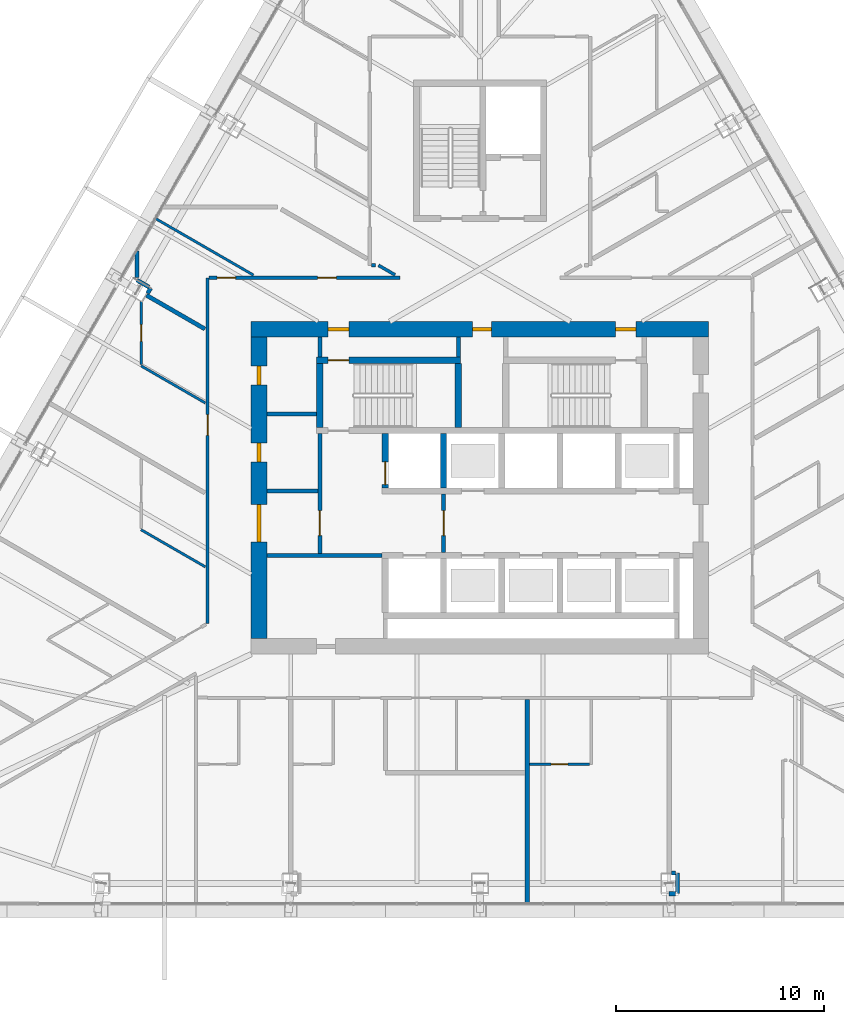
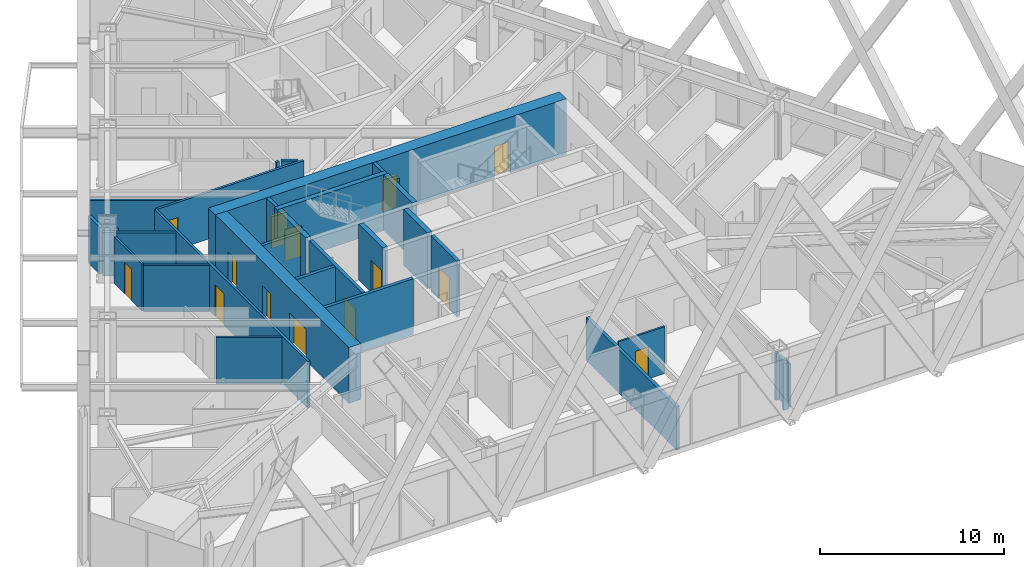
# One storey, part 16 of 26: 31 walls, 15 doors, 15 openings.
"""IFC4 building model written with IfcOpenShell, lengths in metres."""

from ifc_helpers import new_model, si_unit, direction, frame, frame_2d, origin, place, context, subcontext, project, spatial, rectangle, extrude, material, layer, layer_set, type_object, element, fill, save


model = new_model("IFC4")

# Units and contexts
model_context = context("Model", 3, precision=1e-05, world=origin(), true_north=direction((0.0, 1.0)))
body_context = subcontext(model_context, "Body", "Model", "MODEL_VIEW")
ifc_project = project(units=[si_unit("LENGTHUNIT", "METRE"), si_unit("AREAUNIT", "SQUARE_METRE"), si_unit("VOLUMEUNIT", "CUBIC_METRE"), si_unit("PLANEANGLEUNIT", "RADIAN"), si_unit("MASSUNIT", "GRAM", prefix="KILO")], contexts=[model_context])

# Site, building, storey
site_placement = place(None, origin())
site = spatial("IfcSite", under=ifc_project, at=site_placement, CompositionType="ELEMENT")
building_placement = place(site_placement, origin())
building = spatial("IfcBuilding", under=site, at=building_placement, Name="Firuza Gate Tower and Library", CompositionType="ELEMENT")
storey_placement = place(building_placement, frame((0.0, 0.0, 155.800048828125)))
storey = spatial("IfcBuildingStorey", under=building, at=storey_placement, Name="L35", CompositionType="ELEMENT", Elevation=155.800048828125)

# Walls
ifc_material_1 = material(Name="Plasterboard on steel studs", Category="steel")
ifc_layer_1 = layer(ifc_material_1, 0.199951171875)
ifc_layer_set_1 = layer_set([ifc_layer_1], Name="Core partition 200 EI 120")
wall_type_1 = type_object("IfcWallType", Name="Core partition 200 EI 120", PredefinedType="PARTITIONING", material=ifc_layer_set_1)
wall_1_placement = place(storey_placement, frame((64.75, 71.75, 0.0), z_axis=(0.0, 0.0, 1.0), x_axis=(1.0, 0.0, 0.0)))
element("IfcWall", 1, at=wall_1_placement, inside=storey, type_object=wall_type_1, Name="Core partition L35 1", PredefinedType="PARTITIONING", context=body_context, shape_type="SweptSolid", body=[
    extrude(rectangle(XDim=5.550048828125, YDim=0.199951171875, at=frame_2d((2.77490234375, 0.0))), origin(), (0.0, 0.0, 1.0), 3.699951171875),
])
wall_2_placement = place(storey_placement, frame((64.75, 74.85009765625, 0.0), z_axis=(0.0, 0.0, 1.0), x_axis=(1.0, 0.0, 0.0)))
element("IfcWall", 2, at=wall_2_placement, inside=storey, type_object=wall_type_1, Name="Core partition L35 3", PredefinedType="PARTITIONING", context=body_context, shape_type="SweptSolid", body=[
    extrude(rectangle(XDim=2.449951171875, YDim=0.199951171875, at=frame_2d((1.22509765625, 0.0))), origin(), (0.0, 0.0, 1.0), 3.699951171875),
])
wall_3_placement = place(storey_placement, frame((64.75, 78.550048828125, 0.0), z_axis=(0.0, 0.0, 1.0), x_axis=(1.0, 0.0, 0.0)))
element("IfcWall", 3, at=wall_3_placement, inside=storey, type_object=wall_type_1, Name="Core partition L35 6", PredefinedType="PARTITIONING", context=body_context, shape_type="SweptSolid", body=[
    extrude(rectangle(XDim=2.39990234375, YDim=0.199951171875, at=frame_2d((1.199951171875, 0.0))), origin(), (0.0, 0.0, 1.0), 3.699951171875),
])

# Wall, opening, door
wall_4_placement = place(storey_placement, frame((67.300048828125, 71.85009765625, 0.0), z_axis=(0.0, 0.0, 1.0), x_axis=(0.0, 1.0, 0.0)))
wall_4 = element("IfcWall", 4, at=wall_4_placement, inside=storey, type_object=wall_type_1, Name="Core partition L35 7", PredefinedType="PARTITIONING", context=body_context, shape_type="SweptSolid", body=[
    extrude(rectangle(XDim=5.75, YDim=0.199951171875, at=frame_2d((2.875, 0.0))), origin(), (0.0, 0.0, 1.0), 3.699951171875),
])
opening_1_placement = place(wall_4_placement, frame((0.85009765625, 0.0, 0.0)))
opening_1 = element("IfcOpeningElement", 5, at=opening_1_placement, cuts=wall_4, Name="Opening L35-K19", PredefinedType="OPENING", context=body_context, shape_type="SweptSolid", body=[
    extrude(rectangle(XDim=1.199951171875, YDim=2.10009765625, at=frame_2d((0.60009765625, 1.050048828125))), frame((0.0, 0.10986328125, 0.0), z_axis=(0.0, -1.0, 0.0), x_axis=(1.0, 0.0, 0.0)), (0.0, 0.0, 1.0), 0.219970703125),
])
ifc_material_2 = material(Name="Steel", Category="steel")
door_type_1 = type_object("IfcDoorType", Name="Fire door 1200x2100 FD90S", OperationType="NOTDEFINED", PredefinedType="DOOR", material=ifc_material_2)
door_1_placement = place(opening_1_placement, origin())
door_1 = element("IfcDoor", 6, at=door_1_placement, inside=storey, type_object=door_type_1, Name="Door L35-K19", OperationType="SINGLE_SWING_RIGHT", OverallHeight=2.10009765625, OverallWidth=1.199951171875, PredefinedType="DOOR", context=body_context, shape_type="SweptSolid", body=[
    extrude(rectangle(XDim=1.199951171875, YDim=2.10009765625, at=frame_2d((0.60009765625, 1.050048828125))), frame((0.0, 0.02490234375, 0.0), z_axis=(0.0, -1.0, 0.0), x_axis=(1.0, 0.0, 0.0)), (0.0, 0.0, 1.0), 0.050048828125),
])
fill(opening_1, door_1)

# Walls
for number, where, z_axis, x_axis, name in (
    (7, (67.300048828125, 81.280029296875, 0.0), (0.0, 0.0, 1.0), (0.0, 1.0, 0.0), "Core partition L35 8"),
    (8, (73.9599609375, 81.280029296875, 0.0), (0.0, 0.0, 1.0), (0.0, 1.0, 0.0), "Core partition L35 11"),
):
    element("IfcWall", number, at=place(storey_placement, frame(where, z_axis=z_axis, x_axis=x_axis)), inside=storey, type_object=wall_type_1, Name=name, PredefinedType="PARTITIONING", context=body_context, shape_type="SweptSolid", body=[
        extrude(rectangle(XDim=0.969970703125, YDim=0.199951171875, at=frame_2d((0.48486328125, 0.0))), origin(), (0.0, 0.0, 1.0), 3.699951171875),
    ])

# Wall, opening, door
ifc_material_3 = material(Name="Plasterboard on steel studs", Category="steel")
ifc_layer_2 = layer(ifc_material_3, 0.199951171875)
ifc_layer_set_2 = layer_set([ifc_layer_2], Name="Core partition 200 EI 60")
wall_type_2 = type_object("IfcWallType", Name="Core partition 200 EI 60", PredefinedType="PARTITIONING", material=ifc_layer_set_2)
wall_5_placement = place(storey_placement, frame((73.25, 71.89990234375, 0.0), z_axis=(0.0, 0.0, 1.0), x_axis=(0.0, 1.0, 0.0)))
wall_5 = element("IfcWall", 9, at=wall_5_placement, inside=storey, type_object=wall_type_2, Name="Core partition L35 10", PredefinedType="PARTITIONING", context=body_context, shape_type="SweptSolid", body=[
    extrude(rectangle(XDim=2.800048828125, YDim=0.199951171875, at=frame_2d((1.39990234375, 0.0))), origin(), (0.0, 0.0, 1.0), 3.699951171875),
])
opening_2_placement = place(wall_5_placement, frame((0.800048828125, 0.0, 0.0)))
opening_2 = element("IfcOpeningElement", 10, at=opening_2_placement, cuts=wall_5, Name="Opening L35-K18", PredefinedType="OPENING", context=body_context, shape_type="SweptSolid", body=[
    extrude(rectangle(XDim=1.199951171875, YDim=2.10009765625, at=frame_2d((0.60009765625, 1.050048828125))), frame((0.0, 0.10986328125, 0.0), z_axis=(0.0, -1.0, 0.0), x_axis=(1.0, 0.0, 0.0)), (0.0, 0.0, 1.0), 0.219970703125),
])
door_2_placement = place(opening_2_placement, origin())
door_2 = element("IfcDoor", 11, at=door_2_placement, inside=storey, type_object=door_type_1, Name="Door L35-K18", OperationType="SINGLE_SWING_LEFT", OverallHeight=2.10009765625, OverallWidth=1.199951171875, PredefinedType="DOOR", context=body_context, shape_type="SweptSolid", body=[
    extrude(rectangle(XDim=1.199951171875, YDim=2.10009765625, at=frame_2d((0.60009765625, 1.050048828125))), frame((0.0, 0.02490234375, 0.0), z_axis=(0.0, -1.0, 0.0), x_axis=(1.0, 0.0, 0.0)), (0.0, 0.0, 1.0), 0.050048828125),
])
fill(opening_2, door_2)

ifc_material_4 = material(Name="Concrete C80/95", Category="concrete")
ifc_layer_3 = layer(ifc_material_4, 0.300048828125)
ifc_layer_set_3 = layer_set([ifc_layer_3], Name="Core wall 300 C80/95")
wall_type_3 = type_object("IfcWallType", Name="Core wall 300 C80/95", PredefinedType="SHEAR", material=ifc_layer_set_3)
wall_6_placement = place(storey_placement, frame((70.449951171875, 75.0, 0.0), z_axis=(0.0, 0.0, 1.0), x_axis=(0.0, 1.0, 0.0)))
wall_6 = element("IfcWall", 12, at=wall_6_placement, inside=storey, type_object=wall_type_3, Name="Core wall L35 9", PredefinedType="SHEAR", context=body_context, shape_type="SweptSolid", body=[
    extrude(rectangle(XDim=2.60009765625, YDim=0.300048828125, at=frame_2d((1.300048828125, 0.0))), origin(), (0.0, 0.0, 1.0), 3.699951171875),
])
opening_3_placement = place(wall_6_placement, frame((0.14990234375, 0.0, 0.0)))
opening_3 = element("IfcOpeningElement", 13, at=opening_3_placement, cuts=wall_6, Name="Opening LD-FF2-L35", PredefinedType="OPENING", context=body_context, shape_type="SweptSolid", body=[
    extrude(rectangle(XDim=1.10009765625, YDim=2.10009765625, at=frame_2d((0.550048828125, 1.050048828125))), frame((0.0, 0.16015625, 0.0), z_axis=(0.0, -1.0, 0.0), x_axis=(1.0, 0.0, 0.0)), (0.0, 0.0, 1.0), 0.320068359375),
])
ifc_material_5 = material(Name="Stainless steel", Category="steel")
door_type_2 = type_object("IfcDoorType", Name="Lift landing door 1100x2100", OperationType="DOUBLE_DOOR_SLIDING", PredefinedType="DOOR", material=ifc_material_5)
door_3_placement = place(opening_3_placement, origin())
door_3 = element("IfcDoor", 14, at=door_3_placement, inside=storey, type_object=door_type_2, Name="Landing door FF2 L35", OperationType="DOUBLE_DOOR_SLIDING", OverallHeight=2.10009765625, OverallWidth=1.10009765625, PredefinedType="DOOR", context=body_context, shape_type="SweptSolid", body=[
    extrude(rectangle(XDim=1.10009765625, YDim=2.10009765625, at=frame_2d((0.550048828125, 1.050048828125))), frame((0.0, 0.02490234375, 0.0), z_axis=(0.0, -1.0, 0.0), x_axis=(1.0, 0.0, 0.0)), (0.0, 0.0, 1.0), 0.050048828125),
])
fill(opening_3, door_3)

# Wall
wall_7_placement = place(storey_placement, frame((73.25, 75.0, 0.0), z_axis=(0.0, 0.0, 1.0), x_axis=(0.0, 1.0, 0.0)))
element("IfcWall", 15, at=wall_7_placement, inside=storey, type_object=wall_type_3, Name="Core wall L35 11", PredefinedType="SHEAR", context=body_context, shape_type="SweptSolid", body=[
    extrude(rectangle(XDim=2.60009765625, YDim=0.300048828125, at=frame_2d((1.300048828125, 0.0))), origin(), (0.0, 0.0, 1.0), 3.699951171875),
])

# Wall, opening, door
wall_8_placement = place(storey_placement, frame((67.14990234375, 81.1298828125, 0.0), z_axis=(0.0, 0.0, 1.0), x_axis=(1.0, 0.0, 0.0)))
wall_8 = element("IfcWall", 16, at=wall_8_placement, inside=storey, type_object=wall_type_3, Name="Core wall L35 21", PredefinedType="SHEAR", context=body_context, shape_type="SweptSolid", body=[
    extrude(rectangle(XDim=6.91015625, YDim=0.300048828125, at=frame_2d((3.455078125, 0.0))), origin(), (0.0, 0.0, 1.0), 3.699951171875),
])
opening_4_placement = place(wall_8_placement, frame((0.544921875, 0.0, 0.0)))
opening_4 = element("IfcOpeningElement", 17, at=opening_4_placement, cuts=wall_8, Name="Opening L35-K11", PredefinedType="OPENING", context=body_context, shape_type="SweptSolid", body=[
    extrude(rectangle(XDim=1.0, YDim=2.10009765625, at=frame_2d((0.5, 1.050048828125))), frame((0.0, 0.16015625, 0.0), z_axis=(0.0, -1.0, 0.0), x_axis=(1.0, 0.0, 0.0)), (0.0, 0.0, 1.0), 0.320068359375),
])
ifc_material_6 = material(Name="Steel", Category="steel")
door_type_3 = type_object("IfcDoorType", Name="Fire door 1000x2100 FD90", OperationType="NOTDEFINED", PredefinedType="DOOR", material=ifc_material_6)
door_4_placement = place(opening_4_placement, origin())
door_4 = element("IfcDoor", 18, at=door_4_placement, inside=storey, type_object=door_type_3, Name="Door L35-K11", OperationType="SINGLE_SWING_RIGHT", OverallHeight=2.10009765625, OverallWidth=1.0, PredefinedType="DOOR", context=body_context, shape_type="SweptSolid", body=[
    extrude(rectangle(XDim=1.0, YDim=2.10009765625, at=frame_2d((0.5, 1.050048828125))), frame((0.0, 0.02490234375, 0.0), z_axis=(0.0, -1.0, 0.0), x_axis=(1.0, 0.0, 0.0)), (0.0, 0.0, 1.0), 0.050048828125),
])
fill(opening_4, door_4)

# Walls
for number, where, z_axis, x_axis, name in (
    (19, (67.300048828125, 77.89990234375, 0.0), (0.0, 0.0, 1.0), (0.0, 1.0, 0.0), "Core wall L35 23"),
    (20, (73.9599609375, 77.89990234375, 0.0), (0.0, 0.0, 1.0), (0.0, 1.0, 0.0), "Core wall L35 24"),
):
    element("IfcWall", number, at=place(storey_placement, frame(where, z_axis=z_axis, x_axis=x_axis)), inside=storey, type_object=wall_type_3, Name=name, PredefinedType="SHEAR", context=body_context, shape_type="SweptSolid", body=[
        extrude(rectangle(XDim=3.080078125, YDim=0.300048828125, at=frame_2d((1.5400390625, 0.0))), origin(), (0.0, 0.0, 1.0), 3.699951171875),
    ])

# Wall, openings, doors
ifc_material_7 = material(Name="Concrete C80/95", Category="concrete")
ifc_layer_4 = layer(ifc_material_7, 0.75)
ifc_layer_set_4 = layer_set([ifc_layer_4], Name="Core wall 750 C80/95")
wall_type_4 = type_object("IfcWallType", Name="Core wall 750 C80/95", PredefinedType="SHEAR", material=ifc_layer_set_4)
wall_9_placement = place(storey_placement, frame((64.0, 82.625, 0.0), z_axis=(0.0, 0.0, 1.0), x_axis=(1.0, 0.0, 0.0)))
wall_9 = element("IfcWall", 21, at=wall_9_placement, inside=storey, type_object=wall_type_4, Name="Core wall L35 2", PredefinedType="SHEAR", context=body_context, shape_type="SweptSolid", body=[
    extrude(rectangle(XDim=22.0, YDim=0.75, at=frame_2d((11.0, 0.0))), origin(), (0.0, 0.0, 1.0), 3.699951171875),
])
opening_5_placement = place(wall_9_placement, frame((3.695068359375, 0.0, 0.0)))
opening_5 = element("IfcOpeningElement", 22, at=opening_5_placement, cuts=wall_9, Name="Opening L35-K12", PredefinedType="OPENING", context=body_context, shape_type="SweptSolid", body=[
    extrude(rectangle(XDim=1.0, YDim=2.10009765625, at=frame_2d((0.5, 1.050048828125))), frame((0.0, 0.385009765625, 0.0), z_axis=(0.0, -1.0, 0.0), x_axis=(1.0, 0.0, 0.0)), (0.0, 0.0, 1.0), 0.77001953125),
])
opening_6_placement = place(wall_9_placement, frame((17.5048828125, 0.0, 0.0)))
opening_6 = element("IfcOpeningElement", 23, at=opening_6_placement, cuts=wall_9, Name="Opening L35-K14", PredefinedType="OPENING", context=body_context, shape_type="SweptSolid", body=[
    extrude(rectangle(XDim=1.0, YDim=2.10009765625, at=frame_2d((0.5, 1.050048828125))), frame((0.0, 0.385009765625, 0.0), z_axis=(0.0, -1.0, 0.0), x_axis=(1.0, 0.0, 0.0)), (0.0, 0.0, 1.0), 0.77001953125),
])
opening_7_placement = place(wall_9_placement, frame((10.64990234375, 0.0, 0.0)))
opening_7 = element("IfcOpeningElement", 24, at=opening_7_placement, cuts=wall_9, Name="Opening L35-K25", PredefinedType="OPENING", context=body_context, shape_type="SweptSolid", body=[
    extrude(rectangle(XDim=0.89990234375, YDim=2.10009765625, at=frame_2d((0.449951171875, 1.050048828125))), frame((0.0, 0.385009765625, 0.0), z_axis=(0.0, -1.0, 0.0), x_axis=(1.0, 0.0, 0.0)), (0.0, 0.0, 1.0), 0.77001953125),
])
door_5_placement = place(opening_5_placement, origin())
door_5 = element("IfcDoor", 25, at=door_5_placement, inside=storey, type_object=door_type_3, Name="Door L35-K12", OperationType="SINGLE_SWING_LEFT", OverallHeight=2.10009765625, OverallWidth=1.0, PredefinedType="DOOR", context=body_context, shape_type="SweptSolid", body=[
    extrude(rectangle(XDim=1.0, YDim=2.10009765625, at=frame_2d((0.5, 1.050048828125))), frame((0.0, 0.094970703125, 0.0), z_axis=(0.0, -1.0, 0.0), x_axis=(1.0, 0.0, 0.0)), (0.0, 0.0, 1.0), 0.18994140625),
])
fill(opening_5, door_5)
door_6_placement = place(opening_6_placement, origin())
door_6 = element("IfcDoor", 26, at=door_6_placement, inside=storey, type_object=door_type_3, Name="Door L35-K14", OperationType="SINGLE_SWING_LEFT", OverallHeight=2.10009765625, OverallWidth=1.0, PredefinedType="DOOR", context=body_context, shape_type="SweptSolid", body=[
    extrude(rectangle(XDim=1.0, YDim=2.10009765625, at=frame_2d((0.5, 1.050048828125))), frame((0.0, 0.094970703125, 0.0), z_axis=(0.0, -1.0, 0.0), x_axis=(1.0, 0.0, 0.0)), (0.0, 0.0, 1.0), 0.18994140625),
])
fill(opening_6, door_6)
ifc_material_8 = material(Name="Steel", Category="steel")
door_type_4 = type_object("IfcDoorType", Name="Fire door 900x2100 FD30S", OperationType="NOTDEFINED", PredefinedType="DOOR", material=ifc_material_8)
door_7_placement = place(opening_7_placement, origin())
door_7 = element("IfcDoor", 27, at=door_7_placement, inside=storey, type_object=door_type_4, Name="Door L35-K25", OperationType="SINGLE_SWING_RIGHT", OverallHeight=2.10009765625, OverallWidth=0.89990234375, PredefinedType="DOOR", context=body_context, shape_type="SweptSolid", body=[
    extrude(rectangle(XDim=0.89990234375, YDim=2.10009765625, at=frame_2d((0.449951171875, 1.050048828125))), frame((0.0, 0.094970703125, 0.0), z_axis=(0.0, -1.0, 0.0), x_axis=(1.0, 0.0, 0.0)), (0.0, 0.0, 1.0), 0.18994140625),
])
fill(opening_7, door_7)

wall_10_placement = place(storey_placement, frame((64.375, 67.75, 0.0), z_axis=(0.0, 0.0, 1.0), x_axis=(0.0, 1.0, 0.0)))
wall_10 = element("IfcWall", 28, at=wall_10_placement, inside=storey, type_object=wall_type_4, Name="Core wall L35 3", PredefinedType="SHEAR", context=body_context, shape_type="SweptSolid", body=[
    extrude(rectangle(XDim=14.5, YDim=0.75, at=frame_2d((7.25, 0.0))), origin(), (0.0, 0.0, 1.0), 3.699951171875),
])
opening_8_placement = place(wall_10_placement, frame((4.64990234375, 0.0, 0.0)))
opening_8 = element("IfcOpeningElement", 29, at=opening_8_placement, cuts=wall_10, Name="Opening L35-K20", PredefinedType="OPENING", context=body_context, shape_type="SweptSolid", body=[
    extrude(rectangle(XDim=1.800048828125, YDim=2.10009765625, at=frame_2d((0.89990234375, 1.050048828125))), frame((0.0, 0.385009765625, 0.0), z_axis=(0.0, -1.0, 0.0), x_axis=(1.0, 0.0, 0.0)), (0.0, 0.0, 1.0), 0.77001953125),
])
opening_9_placement = place(wall_10_placement, frame((8.5, 0.0, 0.0)))
opening_9 = element("IfcOpeningElement", 30, at=opening_9_placement, cuts=wall_10, Name="Opening L35-K23", PredefinedType="OPENING", context=body_context, shape_type="SweptSolid", body=[
    extrude(rectangle(XDim=0.89990234375, YDim=2.10009765625, at=frame_2d((0.449951171875, 1.050048828125))), frame((0.0, 0.385009765625, 0.0), z_axis=(0.0, -1.0, 0.0), x_axis=(1.0, 0.0, 0.0)), (0.0, 0.0, 1.0), 0.77001953125),
])
opening_10_placement = place(wall_10_placement, frame((12.199951171875, 0.0, 0.0)))
opening_10 = element("IfcOpeningElement", 31, at=opening_10_placement, cuts=wall_10, Name="Opening L35-K24", PredefinedType="OPENING", context=body_context, shape_type="SweptSolid", body=[
    extrude(rectangle(XDim=0.89990234375, YDim=2.10009765625, at=frame_2d((0.449951171875, 1.050048828125))), frame((0.0, 0.385009765625, 0.0), z_axis=(0.0, -1.0, 0.0), x_axis=(1.0, 0.0, 0.0)), (0.0, 0.0, 1.0), 0.77001953125),
])
ifc_material_9 = material(Name="Steel", Category="steel")
door_type_5 = type_object("IfcDoorType", Name="Fire door 1800x2100 FD30S", OperationType="NOTDEFINED", PredefinedType="DOOR", material=ifc_material_9)
door_8_placement = place(opening_8_placement, origin())
door_8 = element("IfcDoor", 32, at=door_8_placement, inside=storey, type_object=door_type_5, Name="Door L35-K20", OperationType="SINGLE_SWING_LEFT", OverallHeight=2.10009765625, OverallWidth=1.800048828125, PredefinedType="DOOR", context=body_context, shape_type="SweptSolid", body=[
    extrude(rectangle(XDim=1.800048828125, YDim=2.10009765625, at=frame_2d((0.89990234375, 1.050048828125))), frame((0.0, 0.094970703125, 0.0), z_axis=(0.0, -1.0, 0.0), x_axis=(1.0, 0.0, 0.0)), (0.0, 0.0, 1.0), 0.18994140625),
])
fill(opening_8, door_8)
door_9_placement = place(opening_9_placement, origin())
door_9 = element("IfcDoor", 33, at=door_9_placement, inside=storey, type_object=door_type_4, Name="Door L35-K23", OperationType="SINGLE_SWING_RIGHT", OverallHeight=2.10009765625, OverallWidth=0.89990234375, PredefinedType="DOOR", context=body_context, shape_type="SweptSolid", body=[
    extrude(rectangle(XDim=0.89990234375, YDim=2.10009765625, at=frame_2d((0.449951171875, 1.050048828125))), frame((0.0, 0.094970703125, 0.0), z_axis=(0.0, -1.0, 0.0), x_axis=(1.0, 0.0, 0.0)), (0.0, 0.0, 1.0), 0.18994140625),
])
fill(opening_9, door_9)
door_10_placement = place(opening_10_placement, origin())
door_10 = element("IfcDoor", 34, at=door_10_placement, inside=storey, type_object=door_type_4, Name="Door L35-K24", OperationType="SINGLE_SWING_LEFT", OverallHeight=2.10009765625, OverallWidth=0.89990234375, PredefinedType="DOOR", context=body_context, shape_type="SweptSolid", body=[
    extrude(rectangle(XDim=0.89990234375, YDim=2.10009765625, at=frame_2d((0.449951171875, 1.050048828125))), frame((0.0, 0.094970703125, 0.0), z_axis=(0.0, -1.0, 0.0), x_axis=(1.0, 0.0, 0.0)), (0.0, 0.0, 1.0), 0.18994140625),
])
fill(opening_10, door_10)

ifc_material_10 = material(Name="Gypsum board partition")
ifc_layer_5 = layer(ifc_material_10, 0.14990234375)
ifc_layer_set_5 = layer_set([ifc_layer_5], Name="Corridor wall 150 double board on steel studs")
wall_type_5 = type_object("IfcWallType", Name="Corridor wall 150 double board on steel studs", PredefinedType="PARTITIONING", material=ifc_layer_set_5)
wall_11_placement = place(storey_placement, frame((61.97509765625, 85.10009765625, 0.0), z_axis=(0.0, 0.0, 1.0), x_axis=(1.0, 0.0, 0.0)))
wall_11 = element("IfcWall", 35, at=wall_11_placement, inside=storey, type_object=wall_type_5, Name="f:L35:w013", PredefinedType="PARTITIONING", context=body_context, shape_type="SweptSolid", body=[
    extrude(rectangle(XDim=9.18115234375, YDim=0.14990234375, at=frame_2d((4.590576171875, 0.0))), origin(), (0.0, 0.0, 1.0), 3.099853515625),
])
opening_11_placement = place(wall_11_placement, frame((0.379638671875, 0.0, 0.0)))
opening_11 = element("IfcOpeningElement", 36, at=opening_11_placement, cuts=wall_11, Name="Opening L35-10", PredefinedType="OPENING", context=body_context, shape_type="SweptSolid", body=[
    extrude(rectangle(XDim=0.89990234375, YDim=2.10009765625, at=frame_2d((0.449951171875, 1.050048828125))), frame((0.0, 0.0849609375, 0.0), z_axis=(0.0, -1.0, 0.0), x_axis=(1.0, 0.0, 0.0)), (0.0, 0.0, 1.0), 0.169921875),
])
opening_12_placement = place(wall_11_placement, frame((5.2158203125, 0.0, 0.0)))
opening_12 = element("IfcOpeningElement", 37, at=opening_12_placement, cuts=wall_11, Name="Opening L35-11", PredefinedType="OPENING", context=body_context, shape_type="SweptSolid", body=[
    extrude(rectangle(XDim=0.89990234375, YDim=2.10009765625, at=frame_2d((0.449951171875, 1.050048828125))), frame((0.0, 0.0849609375, 0.0), z_axis=(0.0, -1.0, 0.0), x_axis=(1.0, 0.0, 0.0)), (0.0, 0.0, 1.0), 0.169921875),
])
ifc_material_11 = material(Name="Steel door and timber leaf", Category="steel")
door_type_6 = type_object("IfcDoorType", Name="Fire door 900 x 2100 steel frame, timber leaf", OperationType="NOTDEFINED", PredefinedType="DOOR", material=ifc_material_11)
door_11_placement = place(opening_11_placement, origin())
door_11 = element("IfcDoor", 38, at=door_11_placement, inside=storey, type_object=door_type_6, Name="f:L35:d010", OperationType="SINGLE_SWING_RIGHT", OverallHeight=2.10009765625, OverallWidth=0.89990234375, PredefinedType="DOOR", context=body_context, shape_type="SweptSolid", body=[
    extrude(rectangle(XDim=0.89990234375, YDim=2.10009765625, at=frame_2d((0.449951171875, 1.050048828125))), frame((0.0, 0.02490234375, 0.0), z_axis=(0.0, -1.0, 0.0), x_axis=(1.0, 0.0, 0.0)), (0.0, 0.0, 1.0), 0.050048828125),
])
fill(opening_11, door_11)
door_12_placement = place(opening_12_placement, origin())
door_12 = element("IfcDoor", 39, at=door_12_placement, inside=storey, type_object=door_type_6, Name="f:L35:d011", OperationType="SINGLE_SWING_LEFT", OverallHeight=2.10009765625, OverallWidth=0.89990234375, PredefinedType="DOOR", context=body_context, shape_type="SweptSolid", body=[
    extrude(rectangle(XDim=0.89990234375, YDim=2.10009765625, at=frame_2d((0.449951171875, 1.050048828125))), frame((0.0, 0.02490234375, 0.0), z_axis=(0.0, -1.0, 0.0), x_axis=(1.0, 0.0, 0.0)), (0.0, 0.0, 1.0), 0.050048828125),
])
fill(opening_12, door_12)

# Wall
wall_12_placement = place(storey_placement, frame((69.77490234375, 85.699951171875, 0.0), z_axis=(0.0, 0.0, 1.0), x_axis=(1.0, 0.0, 0.0)))
element("IfcWall", 40, at=wall_12_placement, inside=storey, type_object=wall_type_5, Name="f:L35:w015", PredefinedType="PARTITIONING", context=body_context, shape_type="SweptSolid", body=[
    extrude(rectangle(XDim=0.192138671875, YDim=0.14990234375, at=frame_2d((0.09619140625, 0.0))), origin(), (0.0, 0.0, 1.0), 3.099853515625),
])

# Wall, opening, door
wall_13_placement = place(storey_placement, frame((61.89990234375, 68.47607421875, 0.0), z_axis=(0.0, 0.0, 1.0), x_axis=(0.0, 1.0, 0.0)))
wall_13 = element("IfcWall", 41, at=wall_13_placement, inside=storey, type_object=wall_type_5, Name="f:L35:w083", PredefinedType="PARTITIONING", context=body_context, shape_type="SweptSolid", body=[
    extrude(rectangle(XDim=16.6240234375, YDim=0.14990234375, at=frame_2d((8.31201171875, 0.0))), origin(), (0.0, 0.0, 1.0), 3.099853515625),
])
opening_13_placement = place(wall_13_placement, frame((9.043212890625, 0.0, 0.0)))
opening_13 = element("IfcOpeningElement", 42, at=opening_13_placement, cuts=wall_13, Name="Opening L35-40", PredefinedType="OPENING", context=body_context, shape_type="SweptSolid", body=[
    extrude(rectangle(XDim=1.0, YDim=2.10009765625, at=frame_2d((0.5, 1.050048828125))), frame((0.0, 0.0849609375, 0.0), z_axis=(0.0, -1.0, 0.0), x_axis=(1.0, 0.0, 0.0)), (0.0, 0.0, 1.0), 0.169921875),
])
ifc_material_12 = material(Name="Steel door and timber leaf", Category="steel")
door_type_7 = type_object("IfcDoorType", Name="Fire door 1000 x 2100 steel frame, timber leaf", OperationType="NOTDEFINED", PredefinedType="DOOR", material=ifc_material_12)
door_13_placement = place(opening_13_placement, origin())
door_13 = element("IfcDoor", 43, at=door_13_placement, inside=storey, type_object=door_type_7, Name="f:L35:d040", OperationType="SINGLE_SWING_LEFT", OverallHeight=2.10009765625, OverallWidth=1.0, PredefinedType="DOOR", context=body_context, shape_type="SweptSolid", body=[
    extrude(rectangle(XDim=1.0, YDim=2.10009765625, at=frame_2d((0.5, 1.050048828125))), frame((0.0, 0.02490234375, 0.0), z_axis=(0.0, -1.0, 0.0), x_axis=(1.0, 0.0, 0.0)), (0.0, 0.0, 1.0), 0.050048828125),
])
fill(opening_13, door_13)

# Walls
wall_14_placement = place(storey_placement, frame((70.913818359375, 85.239990234375, 0.0), z_axis=(0.0, 0.0, 1.0), x_axis=(-0.865898279276, 0.500220121494, 0.0)))
element("IfcWall", 44, at=wall_14_placement, inside=storey, type_object=wall_type_5, Name="f:L35:w099", PredefinedType="PARTITIONING", context=body_context, shape_type="SweptSolid", body=[
    extrude(rectangle(XDim=0.919921875, YDim=0.14990234375, at=frame_2d((0.4599609375, 0.0))), origin(), (0.0, 0.0, 1.0), 3.099853515625),
])
ifc_material_13 = material(Name="Gypsum board partition")
ifc_layer_6 = layer(ifc_material_13, 0.199951171875)
ifc_layer_set_6 = layer_set([ifc_layer_6], Name="Demising wall 200 acoustic double stud")
wall_type_6 = type_object("IfcWallType", Name="Demising wall 200 acoustic double stud", PredefinedType="PARTITIONING", material=ifc_layer_set_6)
wall_15_placement = place(storey_placement, frame((84.10009765625, 55.48095703125, 0.0), z_axis=(0.0, 0.0, 1.0), x_axis=(1.0, 0.0, 0.0)))
element("IfcWall", 45, at=wall_15_placement, inside=storey, type_object=wall_type_6, Name="f:L35:w001", PredefinedType="PARTITIONING", context=body_context, shape_type="SweptSolid", body=[
    extrude(rectangle(XDim=0.2998046875, YDim=0.199951171875, at=frame_2d((0.14990234375, 0.0))), origin(), (0.0, 0.0, 1.0), 3.099853515625),
])
wall_16_placement = place(storey_placement, frame((84.199951171875, 56.48095703125, 0.0), z_axis=(0.0, 0.0, 1.0), x_axis=(1.0, 0.0, 0.0)))
element("IfcWall", 46, at=wall_16_placement, inside=storey, type_object=wall_type_6, Name="f:L35:w004", PredefinedType="PARTITIONING", context=body_context, shape_type="SweptSolid", body=[
    extrude(rectangle(XDim=0.199951171875, YDim=0.199951171875, at=frame_2d((0.10009765625, 0.0))), origin(), (0.0, 0.0, 1.0), 3.099853515625),
])
wall_17_placement = place(storey_placement, frame((59.01708984375, 84.354736328125, 0.0), z_axis=(0.0, 0.0, 1.0), x_axis=(0.500038750527, 0.866003030001, 0.0)))
element("IfcWall", 47, at=wall_17_placement, inside=storey, type_object=wall_type_6, Name="f:L35:w050", PredefinedType="PARTITIONING", context=body_context, shape_type="SweptSolid", body=[
    extrude(rectangle(XDim=0.28955078125, YDim=0.199951171875, at=frame_2d((0.144775390625, 0.0))), origin(), (0.0, 0.0, 1.0), 3.099853515625),
])
wall_18_placement = place(storey_placement, frame((84.5, 55.4814453125, 0.0), z_axis=(0.0, 0.0, 1.0), x_axis=(0.0, 1.0, 0.0)))
element("IfcWall", 48, at=wall_18_placement, inside=storey, type_object=wall_type_6, Name="f:L35:w061", PredefinedType="PARTITIONING", context=body_context, shape_type="SweptSolid", body=[
    extrude(rectangle(XDim=1.0, YDim=0.199951171875, at=frame_2d((0.5, 0.0))), origin(), (0.0, 0.0, 1.0), 2.864990234375),
])
wall_19_placement = place(storey_placement, frame((77.27490234375, 55.021484375, 0.0), z_axis=(0.0, 0.0, 1.0), x_axis=(0.0, 1.0, 0.0)))
element("IfcWall", 49, at=wall_19_placement, inside=storey, type_object=wall_type_6, Name="f:L35:w068", PredefinedType="PARTITIONING", context=body_context, shape_type="SweptSolid", body=[
    extrude(rectangle(XDim=9.803466796875, YDim=0.199951171875, at=frame_2d((4.90185546875, 0.0))), origin(), (0.0, 0.0, 1.0), 2.864990234375),
])
wall_20_placement = place(storey_placement, frame((58.5, 85.10400390625, 0.0), z_axis=(0.0, 0.0, 1.0), x_axis=(0.0, 1.0, 0.0)))
element("IfcWall", 50, at=wall_20_placement, inside=storey, type_object=wall_type_6, Name="f:L35:w087", PredefinedType="PARTITIONING", context=body_context, shape_type="SweptSolid", body=[
    extrude(rectangle(XDim=1.2744140625, YDim=0.199951171875, at=frame_2d((0.63720703125, 0.0))), origin(), (0.0, 0.0, 1.0), 3.099853515625),
])
wall_21_placement = place(storey_placement, frame((59.075439453125, 84.656005859375, 0.0), z_axis=(0.0, 0.0, 1.0), x_axis=(-0.866063163075, 0.499934593286, 0.0)))
element("IfcWall", 51, at=wall_21_placement, inside=storey, type_object=wall_type_6, Name="f:L35:w107", PredefinedType="PARTITIONING", context=body_context, shape_type="SweptSolid", body=[
    extrude(rectangle(XDim=0.6640625, YDim=0.199951171875, at=frame_2d((0.33203125, 0.0))), origin(), (0.0, 0.0, 1.0), 2.864990234375),
])
wall_22_placement = place(storey_placement, frame((61.773193359375, 82.63671875, 0.0), z_axis=(0.0, 0.0, 1.0), x_axis=(-0.866059071022, 0.4999416821, 0.0)))
element("IfcWall", 52, at=wall_22_placement, inside=storey, type_object=wall_type_6, Name="f:L35:w108", PredefinedType="PARTITIONING", context=body_context, shape_type="SweptSolid", body=[
    extrude(rectangle(XDim=3.24560546875, YDim=0.199951171875, at=frame_2d((1.622802734375, 0.0))), origin(), (0.0, 0.0, 1.0), 3.099853515625),
])

# Wall, opening, door
ifc_material_14 = material(Name="Gypsum board partition")
ifc_layer_7 = layer(ifc_material_14, 0.1201171875)
ifc_layer_set_7 = layer_set([ifc_layer_7], Name="Wet-area partition 120 moisture-resistant board")
wall_type_7 = type_object("IfcWallType", Name="Wet-area partition 120 moisture-resistant board", PredefinedType="PARTITIONING", material=ifc_layer_set_7)
wall_23_placement = place(storey_placement, frame((77.375, 61.699951171875, 0.0), z_axis=(0.0, 0.0, 1.0), x_axis=(1.0, 0.0, 0.0)))
wall_23 = element("IfcWall", 53, at=wall_23_placement, inside=storey, type_object=wall_type_7, Name="f:L35:w009", PredefinedType="PARTITIONING", context=body_context, shape_type="SweptSolid", body=[
    extrude(rectangle(XDim=2.9013671875, YDim=0.1201171875, at=frame_2d((1.45068359375, 0.0))), origin(), (0.0, 0.0, 1.0), 3.099853515625),
])
opening_14_placement = place(wall_23_placement, frame((1.050537109375, 0.0, 0.0)))
opening_14 = element("IfcOpeningElement", 54, at=opening_14_placement, cuts=wall_23, Name="Opening L35-03", PredefinedType="OPENING", context=body_context, shape_type="SweptSolid", body=[
    extrude(rectangle(XDim=0.800048828125, YDim=2.10009765625, at=frame_2d((0.39990234375, 1.050048828125))), frame((0.0, 0.070068359375, 0.0), z_axis=(0.0, -1.0, 0.0), x_axis=(1.0, 0.0, 0.0)), (0.0, 0.0, 1.0), 0.14013671875),
])
ifc_material_15 = material(Name="Timber door", Category="wood")
door_type_8 = type_object("IfcDoorType", Name="Door 800 x 2100 timber leaf", OperationType="NOTDEFINED", PredefinedType="DOOR", material=ifc_material_15)
door_14_placement = place(opening_14_placement, origin())
door_14 = element("IfcDoor", 55, at=door_14_placement, inside=storey, type_object=door_type_8, Name="f:L35:d003", OperationType="SINGLE_SWING_LEFT", OverallHeight=2.10009765625, OverallWidth=0.800048828125, PredefinedType="DOOR", context=body_context, shape_type="SweptSolid", body=[
    extrude(rectangle(XDim=0.800048828125, YDim=2.10009765625, at=frame_2d((0.39990234375, 1.050048828125))), frame((0.0, 0.02490234375, 0.0), z_axis=(0.0, -1.0, 0.0), x_axis=(1.0, 0.0, 0.0)), (0.0, 0.0, 1.0), 0.050048828125),
])
fill(opening_14, door_14)

wall_24_placement = place(storey_placement, frame((58.699951171875, 83.948974609375, 0.0), z_axis=(0.0, 0.0, 1.0), x_axis=(0.0, -1.0, 0.0)))
wall_24 = element("IfcWall", 56, at=wall_24_placement, inside=storey, type_object=wall_type_7, Name="f:L35:w086", PredefinedType="PARTITIONING", context=body_context, shape_type="SweptSolid", body=[
    extrude(rectangle(XDim=3.01513671875, YDim=0.1201171875, at=frame_2d((1.507568359375, 0.0))), origin(), (0.0, 0.0, 1.0), 3.099853515625),
])
opening_15_placement = place(wall_24_placement, frame((1.107666015625, 0.0, 0.0)))
opening_15 = element("IfcOpeningElement", 57, at=opening_15_placement, cuts=wall_24, Name="Opening L35-42", PredefinedType="OPENING", context=body_context, shape_type="SweptSolid", body=[
    extrude(rectangle(XDim=0.800048828125, YDim=2.10009765625, at=frame_2d((0.39990234375, 1.050048828125))), frame((0.0, 0.070068359375, 0.0), z_axis=(0.0, -1.0, 0.0), x_axis=(1.0, 0.0, 0.0)), (0.0, 0.0, 1.0), 0.14013671875),
])
door_15_placement = place(opening_15_placement, origin())
door_15 = element("IfcDoor", 58, at=door_15_placement, inside=storey, type_object=door_type_8, Name="f:L35:d042", OperationType="SINGLE_SWING_LEFT", OverallHeight=2.10009765625, OverallWidth=0.800048828125, PredefinedType="DOOR", context=body_context, shape_type="SweptSolid", body=[
    extrude(rectangle(XDim=0.800048828125, YDim=2.10009765625, at=frame_2d((0.39990234375, 1.050048828125))), frame((0.0, 0.02490234375, 0.0), z_axis=(0.0, -1.0, 0.0), x_axis=(1.0, 0.0, 0.0)), (0.0, 0.0, 1.0), 0.050048828125),
])
fill(opening_15, door_15)

# Walls
wall_25_placement = place(storey_placement, frame((64.10595703125, 85.229736328125, 0.0), z_axis=(0.0, 0.0, 1.0), x_axis=(-0.866029080648, 0.499993631431, 0.0)))
element("IfcWall", 59, at=wall_25_placement, inside=storey, type_object=wall_type_7, Name="f:L35:w104", PredefinedType="PARTITIONING", context=body_context, shape_type="SweptSolid", body=[
    extrude(rectangle(XDim=5.42919921875, YDim=0.1201171875, at=frame_2d((2.714599609375, 0.0))), origin(), (0.0, 0.0, 1.0), 2.864990234375),
])
for number, where, z_axis, x_axis, name in (
    (60, (61.79052734375, 79.08056640625, 0.0), (0.0, 0.0, 1.0), (-0.866028357664, 0.499994883695, 0.0), "f:L35:w110"),
    (61, (61.79052734375, 71.19970703125, 0.0), (0.0, 0.0, 1.0), (-0.866028357664, 0.499994883695, 0.0), "f:L35:w113"),
):
    element("IfcWall", number, at=place(storey_placement, frame(where, z_axis=z_axis, x_axis=x_axis)), inside=storey, type_object=wall_type_7, Name=name, PredefinedType="PARTITIONING", context=body_context, shape_type="SweptSolid", body=[
        extrude(rectangle(XDim=3.568359375, YDim=0.1201171875, at=frame_2d((1.7841796875, 0.0))), origin(), (0.0, 0.0, 1.0), 3.099853515625),
    ])

save(model, "model.ifc")
